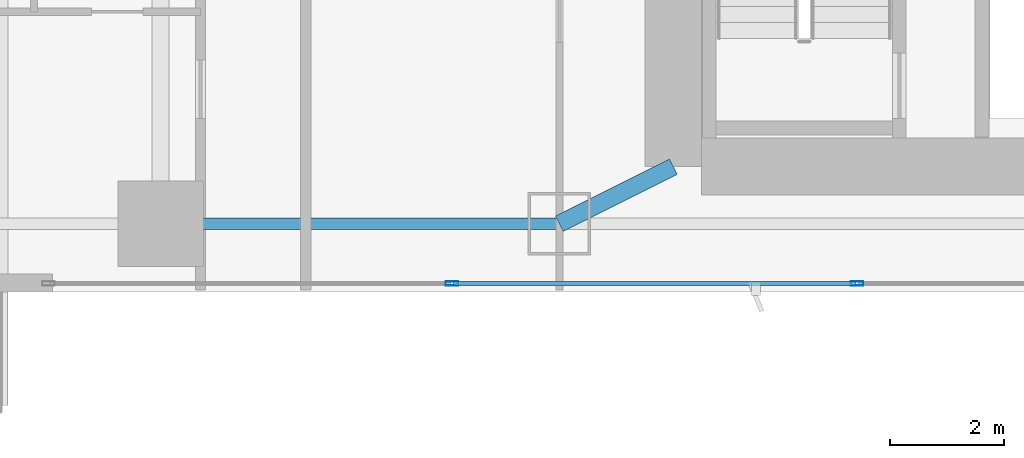
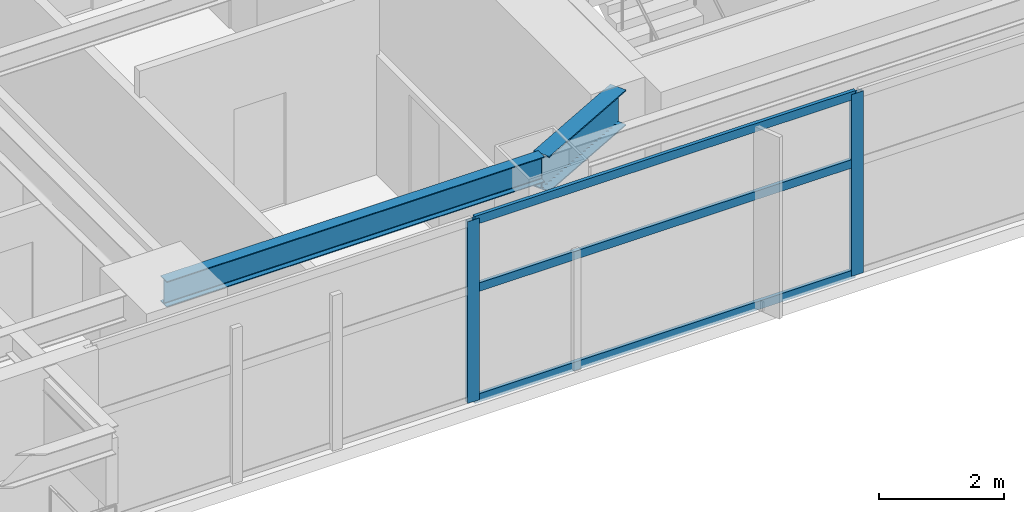
# One storey, part 6 of 29: 5 members, 2 beams, 1 element without a shape of its own.
"""IFC4 building model written with IfcOpenShell, lengths in metres."""

from ifc_helpers import new_model, si_unit, direction, frame, origin, origin_2d, place, context, subcontext, project, spatial, hollow_rectangle, i_section, extrude, material, layer, layer_set, material_profile, profile_set, type_object, element, aggregate, save


model = new_model("IFC4")

# Units and contexts
model_context = context("Model", 3, precision=1e-05, world=origin(), true_north=direction((0.0, 1.0)))
body_context = subcontext(model_context, "Body", "Model", "MODEL_VIEW")
ifc_project = project(units=[si_unit("LENGTHUNIT", "METRE"), si_unit("AREAUNIT", "SQUARE_METRE"), si_unit("VOLUMEUNIT", "CUBIC_METRE"), si_unit("PLANEANGLEUNIT", "RADIAN"), si_unit("MASSUNIT", "GRAM", prefix="KILO")], contexts=[model_context])

# Site, building, storey
site_placement = place(None, origin())
site = spatial("IfcSite", under=ifc_project, at=site_placement, CompositionType="ELEMENT")
building_placement = place(site_placement, origin())
building = spatial("IfcBuilding", under=site, at=building_placement, Name="Calvorn Quay Hotel", CompositionType="ELEMENT")
storey_placement = place(building_placement, frame((0.0, 0.0, 66.0)))
storey = spatial("IfcBuildingStorey", under=building, at=storey_placement, Name="L15", CompositionType="ELEMENT", Elevation=66.0)

# Beams
ifc_material_1 = material(Name="Steel Q390GJC", Category="steel")
ifc_material_profile_1 = material_profile(ifc_material_1, i_section(OverallWidth=0.300048828125, OverallDepth=0.699951171875, WebThickness=0.012939453125, FlangeThickness=0.02392578125, FilletRadius=0.02392578125, at=origin_2d()), Name="HN700x300x13x24")
ifc_profile_set_1 = profile_set([ifc_material_profile_1], Name="Steel Q390GJC")
beam_type_1 = type_object("IfcBeamType", Name="BM-GIRD-MAIN", PredefinedType="BEAM", material=ifc_profile_set_1)
beam_1_placement = place(storey_placement, frame((19.60009765625, 3.60009765625, 3.18994140625), z_axis=(0.894427191, 0.4472135955, 0.0), x_axis=(-0.4472135955, 0.894427191, 0.0)))
element("IfcBeam", 1, at=beam_1_placement, inside=storey, type_object=beam_type_1, Name="Beam BG-L15-S2", PredefinedType="BEAM", context=body_context, shape_type="SweptSolid", body=[
    extrude(i_section(OverallWidth=0.300048828125, OverallDepth=0.699951171875, WebThickness=0.012939453125, FlangeThickness=0.02392578125, FilletRadius=0.02392578125, at=origin_2d()), origin(), (0.0, 0.0, 1.0), 2.236083984375),
])
ifc_material_2 = material(Name="Steel Q355B", Category="steel")
ifc_material_profile_2 = material_profile(ifc_material_2, i_section(OverallWidth=0.199951171875, OverallDepth=0.5, WebThickness=0.010009765625, FlangeThickness=0.01611328125, FilletRadius=0.01611328125, at=origin_2d()), Name="HN500x200x10x16")
ifc_profile_set_2 = profile_set([ifc_material_profile_2], Name="Steel Q355B")
beam_type_2 = type_object("IfcBeamType", Name="BM-SPANDREL-Z1", PredefinedType="SPANDREL", material=ifc_profile_set_2)
beam_2_placement = place(storey_placement, frame((12.60009765625, 3.60009765625, 3.2900390625), z_axis=(1.0, 0.0, 0.0), x_axis=(0.0, 1.0, 0.0)))
element("IfcBeam", 2, at=beam_2_placement, inside=storey, type_object=beam_type_2, Name="Beam BSP-L15-S2", PredefinedType="SPANDREL", context=body_context, shape_type="SweptSolid", body=[
    extrude(i_section(OverallWidth=0.199951171875, OverallDepth=0.5, WebThickness=0.010009765625, FlangeThickness=0.01611328125, FilletRadius=0.01611328125, at=origin_2d()), origin(), (0.0, 0.0, 1.0), 7.0),
])

# Curtain wall, members
ifc_material_3 = material(Name="Pale Anodised Aluminium and Low-E Glass", Category="aluminium")
ifc_layer = layer(ifc_material_3, 0.219970703125)
ifc_layer_set = layer_set([ifc_layer], Name="CW-SYS-Z1")
curtain_wall_type = type_object("IfcCurtainWallType", Name="CW-SYS-Z1", PredefinedType="NOTDEFINED", material=ifc_layer_set)
curtain_wall_placement = place(storey_placement, origin())
curtain_wall = element("IfcCurtainWall", 3, at=curtain_wall_placement, inside=storey, type_object=curtain_wall_type, Name="Tower South Waterfront Curtain Wall (L15)", PredefinedType="NOTDEFINED")
ifc_material_4 = material(Name="Pale Anodised Aluminium 6063-T6", Category="aluminium")
ifc_material_profile_3 = material_profile(ifc_material_4, hollow_rectangle(XDim=0.074951171875, YDim=0.219970703125, WallThickness=0.00439453125, at=origin_2d()), Name="ALU-M220x75x4.5")
ifc_profile_set_3 = profile_set([ifc_material_profile_3], Name="Pale Anodised Aluminium 6063-T6")
member_type_1 = type_object("IfcMemberType", Name="CW-SYS-Z1-MUL", PredefinedType="MULLION", material=ifc_profile_set_3)
member_1_placement = place(storey_placement, frame((17.71435546875, 2.550048828125, 0.0), z_axis=(0.0, 0.0, 1.0), x_axis=(0.0, 1.0, 0.0)))
member_1 = element("IfcMember", 4, at=member_1_placement, type_object=member_type_1, Name="CW-L15-S mullion 2", PredefinedType="MULLION", context=body_context, shape_type="SweptSolid", body=[
    extrude(hollow_rectangle(XDim=0.074951171875, YDim=0.219970703125, WallThickness=0.00439453125, at=origin_2d()), origin(), (0.0, 0.0, 1.0), 3.56005859375),
])
member_2_placement = place(storey_placement, frame((24.82861328125, 2.550048828125, 0.0), z_axis=(0.0, 0.0, 1.0), x_axis=(0.0, 1.0, 0.0)))
member_2 = element("IfcMember", 5, at=member_2_placement, type_object=member_type_1, Name="CW-L15-S mullion 3", PredefinedType="MULLION", context=body_context, shape_type="SweptSolid", body=[
    extrude(hollow_rectangle(XDim=0.074951171875, YDim=0.219970703125, WallThickness=0.00439453125, at=origin_2d()), origin(), (0.0, 0.0, 1.0), 3.56005859375),
])
ifc_material_5 = material(Name="Pale Anodised Aluminium 6063-T6", Category="aluminium")
ifc_material_profile_4 = material_profile(ifc_material_5, hollow_rectangle(XDim=0.06494140625, YDim=0.1650390625, WallThickness=0.00341796875, at=origin_2d()), Name="ALU-T165x65x3.5")
ifc_profile_set_4 = profile_set([ifc_material_profile_4], Name="Pale Anodised Aluminium 6063-T6")
member_type_2 = type_object("IfcMemberType", Name="CW-SYS-Z1-TRN", PredefinedType="USERDEFINED", material=ifc_profile_set_4)
member_3_placement = place(storey_placement, frame((17.744384765625, 2.550048828125, 0.030029296875), z_axis=(1.0, 0.0, 0.0), x_axis=(0.0, 1.0, 0.0)))
member_3 = element("IfcMember", 6, at=member_3_placement, type_object=member_type_2, Name="CW-L15-S transom 2.1", ObjectType="TRANSOM", PredefinedType="USERDEFINED", context=body_context, shape_type="SweptSolid", body=[
    extrude(hollow_rectangle(XDim=0.06494140625, YDim=0.1650390625, WallThickness=0.00341796875, at=origin_2d()), origin(), (0.0, 0.0, 1.0), 7.05419921875),
])
member_4_placement = place(storey_placement, frame((17.744384765625, 2.550048828125, 2.199951171875), z_axis=(1.0, 0.0, 0.0), x_axis=(0.0, 1.0, 0.0)))
member_4 = element("IfcMember", 7, at=member_4_placement, type_object=member_type_2, Name="CW-L15-S transom 2.2", ObjectType="TRANSOM", PredefinedType="USERDEFINED", context=body_context, shape_type="SweptSolid", body=[
    extrude(hollow_rectangle(XDim=0.06494140625, YDim=0.1650390625, WallThickness=0.00341796875, at=origin_2d()), origin(), (0.0, 0.0, 1.0), 7.05419921875),
])
member_5_placement = place(storey_placement, frame((17.744384765625, 2.550048828125, 3.530029296875), z_axis=(1.0, 0.0, 0.0), x_axis=(0.0, 1.0, 0.0)))
member_5 = element("IfcMember", 8, at=member_5_placement, type_object=member_type_2, Name="CW-L15-S transom 2.3", ObjectType="TRANSOM", PredefinedType="USERDEFINED", context=body_context, shape_type="SweptSolid", body=[
    extrude(hollow_rectangle(XDim=0.06494140625, YDim=0.1650390625, WallThickness=0.00341796875, at=origin_2d()), origin(), (0.0, 0.0, 1.0), 7.05419921875),
])
aggregate(curtain_wall, [member_1, member_2, member_3, member_4, member_5])

save(model, "model.ifc")
